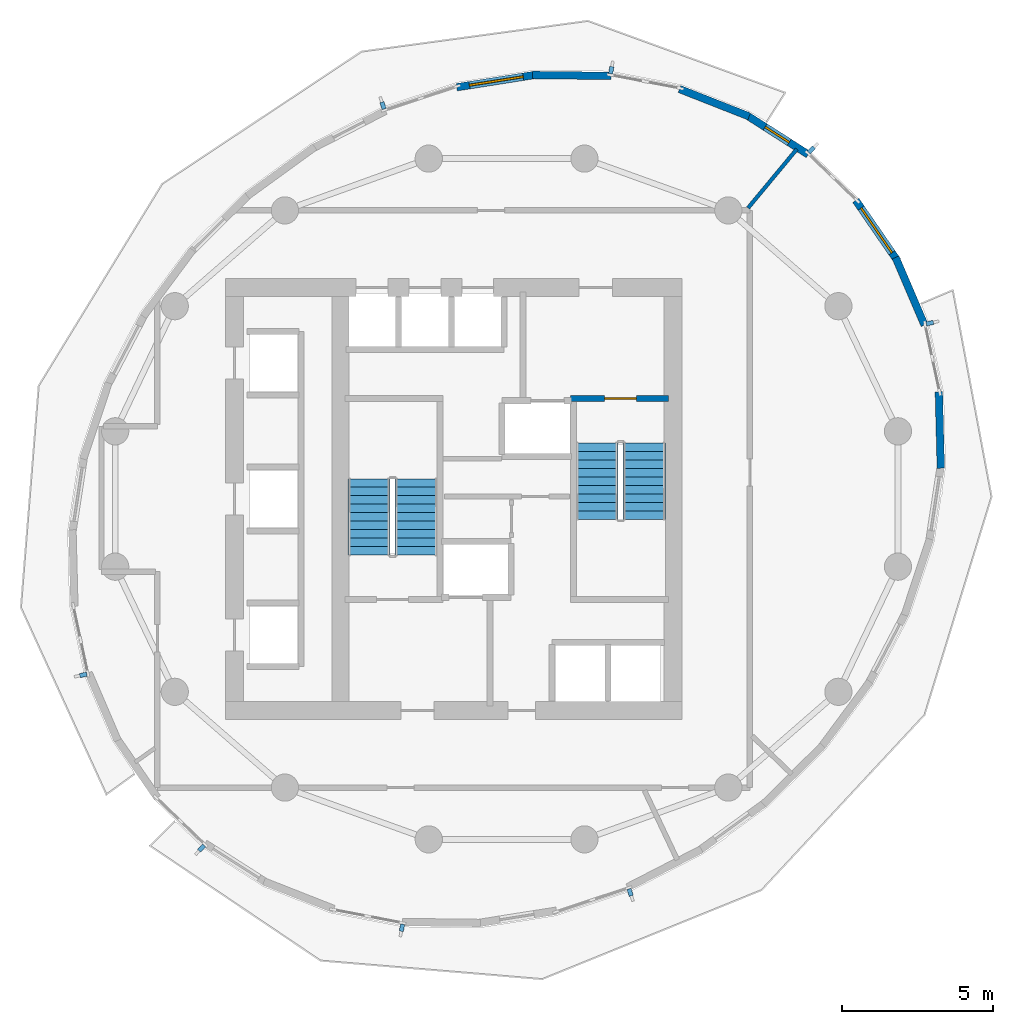
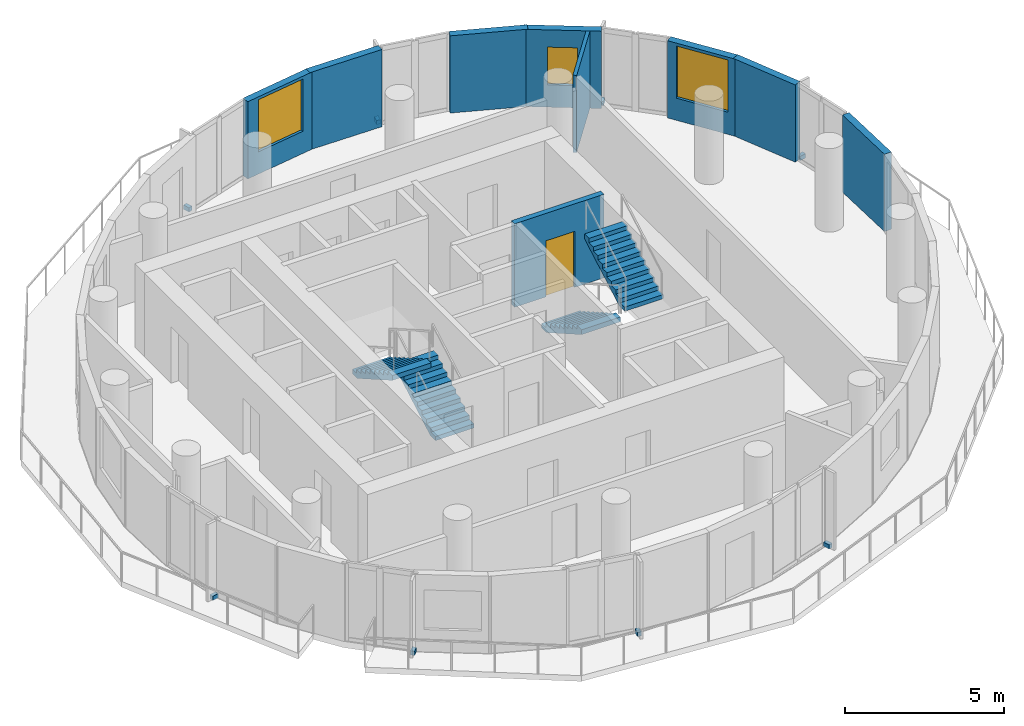
# One storey, part 5 of 9: 9 walls, 8 discrete accessories, 4 stair flights, 3 windows, 1 door, 4 openings, 2 elements without a shape of their own.
"""IFC4 building model written with IfcOpenShell, lengths in metres."""

from ifc_helpers import new_model, si_unit, direction, frame, frame_2d, origin, origin_2d, place, context, subcontext, project, spatial, polyline, rectangle, outline, extrude, material, layer, layer_set, type_object, element, fill, aggregate, save


model = new_model("IFC4")

# Units and contexts
model_context = context("Model", 3, precision=1e-05, world=origin(), true_north=direction((0.0, 1.0)))
body_context = subcontext(model_context, "Body", "Model", "MODEL_VIEW")
ifc_project = project(units=[si_unit("LENGTHUNIT", "METRE"), si_unit("AREAUNIT", "SQUARE_METRE"), si_unit("VOLUMEUNIT", "CUBIC_METRE"), si_unit("PLANEANGLEUNIT", "RADIAN"), si_unit("MASSUNIT", "GRAM", prefix="KILO")], contexts=[model_context])

# Site, building, storey
site_placement = place(None, origin())
site = spatial("IfcSite", under=ifc_project, at=site_placement, CompositionType="ELEMENT")
building_placement = place(site_placement, origin())
building = spatial("IfcBuilding", under=site, at=building_placement, Name="Veldorim Arch Residences", CompositionType="ELEMENT")
storey_placement = place(building_placement, frame((0.0, 0.0, 163.0400390625)))
storey = spatial("IfcBuildingStorey", under=building, at=storey_placement, Name="L48", CompositionType="ELEMENT", Elevation=163.0400390625)

# Wall
ifc_material_1 = material(Name="Acoustic Gypsum Board", Category="gypsum")
ifc_layer_1 = layer(ifc_material_1, 0.125, Name="Acoustic Stud Room Partition Wall 125")
ifc_layer_set_1 = layer_set([ifc_layer_1], Name="Acoustic Gypsum Board")
wall_type_1 = type_object("IfcWallType", Name="Acoustic Stud Room Partition Wall 125", PredefinedType="PARTITIONING", material=ifc_layer_set_1)
wall_1_placement = place(storey_placement, frame((41.60009765625, 35.571533203125, 0.0), z_axis=(0.0, 0.0, 1.0), x_axis=(-0.638500632437, -0.769621298027, 0.0)))
element("IfcWall", 1, at=wall_1_placement, inside=storey, type_object=wall_type_1, Name="L48 interior wall WL-SKY-L48-009", PredefinedType="PARTITIONING", context=body_context, shape_type="SweptSolid", body=[
    extrude(rectangle(XDim=2.526611328125, YDim=0.125, at=frame_2d((1.26318359375, 0.0))), origin(), (0.0, 0.0, 1.0), 2.955078125),
])

# Wall, opening, door
ifc_material_2 = material(Name="Concrete C50/60", Category="concrete")
ifc_layer_2 = layer(ifc_material_2, 0.199951171875, Name="Core Stair & Lift Shaft Enclosure Wall 200")
ifc_layer_set_2 = layer_set([ifc_layer_2], Name="Concrete C50/60")
wall_type_2 = type_object("IfcWallType", Name="Core Stair & Lift Shaft Enclosure Wall 200", PredefinedType="SHEAR", material=ifc_layer_set_2)
wall_2_placement = place(storey_placement, frame((34.110107421875, 27.330078125, 0.0), z_axis=(0.0, 0.0, 1.0), x_axis=(1.0, 0.0, 0.0)))
wall_2 = element("IfcWall", 2, at=wall_2_placement, inside=storey, type_object=wall_type_2, Name="L48 shaft wall WL-SHF-L48-ST2-N", PredefinedType="SHEAR", context=body_context, shape_type="SweptSolid", body=[
    extrude(rectangle(XDim=3.239990234375, YDim=0.199951171875, at=frame_2d((1.6201171875, 0.0))), origin(), (0.0, 0.0, 1.0), 3.199951171875),
])
opening_1_placement = place(wall_2_placement, frame((1.135009765625, 0.0, 0.0)))
opening_1 = element("IfcOpeningElement", 3, at=opening_1_placement, cuts=wall_2, Name="Opening DR-ST", PredefinedType="OPENING", context=body_context, shape_type="SweptSolid", body=[
    extrude(rectangle(XDim=1.050048828125, YDim=2.14990234375, at=frame_2d((0.52490234375, 1.074951171875))), frame((0.0, 0.10986328125, 0.0), z_axis=(0.0, -1.0, 0.0), x_axis=(1.0, 0.0, 0.0)), (0.0, 0.0, 1.0), 0.219970703125),
])
ifc_material_3 = material(Name="Fire-Rated Steel", Category="steel")
door_type = type_object("IfcDoorType", Name="Exit Staircase Self-Closing Fire Door 1050x2150", OperationType="SINGLE_SWING_LEFT", PredefinedType="DOOR", material=ifc_material_3)
door_placement = place(opening_1_placement, origin())
door = element("IfcDoor", 4, at=door_placement, inside=storey, type_object=door_type, Name="L48 interior door DR-L48-ST2", OperationType="SINGLE_SWING_RIGHT", OverallHeight=2.14990234375, OverallWidth=1.050048828125, PredefinedType="DOOR", context=body_context, shape_type="SweptSolid", body=[
    extrude(rectangle(XDim=1.050048828125, YDim=2.14990234375, at=frame_2d((0.52490234375, 1.074951171875))), frame((0.0, 0.02490234375, 0.0), z_axis=(0.0, -1.0, 0.0), x_axis=(1.0, 0.0, 0.0)), (0.0, 0.0, 1.0), 0.050048828125),
])
fill(opening_1, door)

# Wall, opening, window
ifc_material_4 = material(Name="Precast concrete C40/50", Category="concrete")
ifc_layer_3 = layer(ifc_material_4, 0.25, Name="Tower Terracotta Spandrel & Pier Wall 250")
ifc_layer_set_3 = layer_set([ifc_layer_3], Name="Precast concrete C40/50")
wall_type_3 = type_object("IfcWallType", Name="Tower Terracotta Spandrel & Pier Wall 250", PredefinedType="SOLIDWALL", material=ifc_layer_set_3)
wall_3_placement = place(storey_placement, frame((39.923095703125, 36.707275390625, 0.0), z_axis=(0.0, 0.0, 1.0), x_axis=(0.842951209937, -0.537990016325, 0.0)))
wall_3 = element("IfcWall", 5, at=wall_3_placement, inside=storey, type_object=wall_type_3, Name="L48 terracotta facade wall 02", PredefinedType="SOLIDWALL", context=body_context, shape_type="SweptSolid", body=[
    extrude(rectangle(XDim=2.43701171875, YDim=0.25, at=frame_2d((1.218505859375, 0.0))), origin(), (0.0, 0.0, 1.0), 2.9599609375),
])
opening_2_placement = place(wall_3_placement, frame((0.742919921875, 0.0, 0.85009765625)))
opening_2 = element("IfcOpeningElement", 6, at=opening_2_placement, cuts=wall_3, Name="Opening WN-05", PredefinedType="OPENING", context=body_context, shape_type="SweptSolid", body=[
    extrude(rectangle(XDim=0.949951171875, YDim=1.449951171875, at=frame_2d((0.47509765625, 0.72509765625))), frame((0.0, 0.135009765625, 0.0), z_axis=(0.0, -1.0, 0.0), x_axis=(1.0, 0.0, 0.0)), (0.0, 0.0, 1.0), 0.27001953125),
])
ifc_material_5 = material(Name="Laminated Low-E Glass", Category="glass")
window_type_1 = type_object("IfcWindowType", Name="Residential Compact Casement Window 950x1450", PartitioningType="SINGLE_PANEL", PredefinedType="WINDOW", material=ifc_material_5)
window_1_placement = place(opening_2_placement, origin())
window_1 = element("IfcWindow", 7, at=window_1_placement, inside=storey, type_object=window_type_1, Name="L48 solar-control facade window 02", OverallHeight=1.449951171875, OverallWidth=0.949951171875, PartitioningType="SINGLE_PANEL", PredefinedType="WINDOW", context=body_context, shape_type="SweptSolid", body=[
    extrude(rectangle(XDim=0.949951171875, YDim=1.449951171875, at=frame_2d((0.47509765625, 0.72509765625))), frame((0.0, 0.030029296875, 0.0), z_axis=(0.0, -1.0, 0.0), x_axis=(1.0, 0.0, 0.0)), (0.0, 0.0, 1.0), 0.06005859375),
])
fill(opening_2, window_1)

# Walls
wall_4_placement = place(storey_placement, frame((37.71875, 37.56298828125, 0.0), z_axis=(0.0, 0.0, 1.0), x_axis=(0.930554944455, -0.366152284371, 0.0)))
element("IfcWall", 8, at=wall_4_placement, inside=storey, type_object=wall_type_3, Name="L48 terracotta facade wall 03", PredefinedType="SOLIDWALL", context=body_context, shape_type="SweptSolid", body=[
    extrude(rectangle(XDim=2.477783203125, YDim=0.25, at=frame_2d((1.23876953125, 0.0))), origin(), (0.0, 0.0, 1.0), 2.9599609375),
])
wall_5_placement = place(storey_placement, frame((32.859375, 38.027099609375, 0.0), z_axis=(0.0, 0.0, 1.0), x_axis=(0.999928463579, -0.011961092105, 0.0)))
element("IfcWall", 9, at=wall_5_placement, inside=storey, type_object=wall_type_3, Name="L48 terracotta facade wall 05", PredefinedType="SOLIDWALL", context=body_context, shape_type="SweptSolid", body=[
    extrude(rectangle(XDim=2.59228515625, YDim=0.25, at=frame_2d((1.296142578125, 0.0))), origin(), (0.0, 0.0, 1.0), 2.9599609375),
])

# Wall, opening, window
wall_6_placement = place(storey_placement, frame((30.351318359375, 37.62109375, 0.0), z_axis=(0.0, 0.0, 1.0), x_axis=(0.987726348775, 0.156194301867, 0.0)))
wall_6 = element("IfcWall", 10, at=wall_6_placement, inside=storey, type_object=wall_type_3, Name="L48 terracotta facade wall 06", PredefinedType="SOLIDWALL", context=body_context, shape_type="SweptSolid", body=[
    extrude(rectangle(XDim=2.65087890625, YDim=0.25, at=frame_2d((1.325439453125, 0.0))), origin(), (0.0, 0.0, 1.0), 2.9599609375),
])
opening_3_placement = place(wall_6_placement, frame((0.426025390625, 0.0, 0.85009765625)))
opening_3 = element("IfcOpeningElement", 11, at=opening_3_placement, cuts=wall_6, Name="Opening WN-04", PredefinedType="OPENING", context=body_context, shape_type="SweptSolid", body=[
    extrude(rectangle(XDim=1.800048828125, YDim=2.0, at=frame_2d((0.89990234375, 1.0))), frame((0.0, 0.135009765625, 0.0), z_axis=(0.0, -1.0, 0.0), x_axis=(1.0, 0.0, 0.0)), (0.0, 0.0, 1.0), 0.27001953125),
])
ifc_material_6 = material(Name="Laminated Low-E Glass", Category="glass")
window_type_2 = type_object("IfcWindowType", Name="Sky Lounge Tall Picture Window 1800x1370", PartitioningType="SINGLE_PANEL", PredefinedType="WINDOW", material=ifc_material_6)
window_2_placement = place(opening_3_placement, origin())
window_2 = element("IfcWindow", 12, at=window_2_placement, inside=storey, type_object=window_type_2, Name="L48 solar-control facade window 06", OverallHeight=2.0, OverallWidth=1.800048828125, PartitioningType="SINGLE_PANEL", PredefinedType="WINDOW", context=body_context, shape_type="SweptSolid", body=[
    extrude(rectangle(XDim=1.800048828125, YDim=2.0, at=frame_2d((0.89990234375, 1.0))), frame((0.0, 0.030029296875, 0.0), z_axis=(0.0, -1.0, 0.0), x_axis=(1.0, 0.0, 0.0)), (0.0, 0.0, 1.0), 0.06005859375),
])
fill(opening_3, window_2)

# Walls
wall_7_placement = place(storey_placement, frame((46.299072265625, 27.548828125, 0.0), z_axis=(0.0, 0.0, 1.0), x_axis=(0.025647424719, -0.999671050699, 0.0)))
element("IfcWall", 13, at=wall_7_placement, inside=storey, type_object=wall_type_3, Name="L48 terracotta facade wall 33", PredefinedType="SOLIDWALL", context=body_context, shape_type="SweptSolid", body=[
    extrude(rectangle(XDim=2.531982421875, YDim=0.25, at=frame_2d((1.26611328125, 0.0))), origin(), (0.0, 0.0, 1.0), 2.9599609375),
])
wall_8_placement = place(storey_placement, frame((44.8671875, 31.990966796875, 0.0), z_axis=(0.0, 0.0, 1.0), x_axis=(0.393822567199, -0.919186480299, 0.0)))
element("IfcWall", 14, at=wall_8_placement, inside=storey, type_object=wall_type_3, Name="L48 terracotta facade wall 35", PredefinedType="SOLIDWALL", context=body_context, shape_type="SweptSolid", body=[
    extrude(rectangle(XDim=2.43701171875, YDim=0.25, at=frame_2d((1.218505859375, 0.0))), origin(), (0.0, 0.0, 1.0), 2.9599609375),
])

# Wall, opening, window
wall_9_placement = place(storey_placement, frame((43.552001953125, 33.87890625, 0.0), z_axis=(0.0, 0.0, 1.0), x_axis=(0.567536828079, -0.823348011945, 0.0)))
wall_9 = element("IfcWall", 15, at=wall_9_placement, inside=storey, type_object=wall_type_3, Name="L48 terracotta facade wall 36", PredefinedType="SOLIDWALL", context=body_context, shape_type="SweptSolid", body=[
    extrude(rectangle(XDim=2.41455078125, YDim=0.25, at=frame_2d((1.207275390625, 0.0))), origin(), (0.0, 0.0, 1.0), 2.9599609375),
])
opening_4_placement = place(wall_9_placement, frame((0.306884765625, 0.0, 0.85009765625)))
opening_4 = element("IfcOpeningElement", 16, at=opening_4_placement, cuts=wall_9, Name="Opening WN-04", PredefinedType="OPENING", context=body_context, shape_type="SweptSolid", body=[
    extrude(rectangle(XDim=1.800048828125, YDim=2.0, at=frame_2d((0.89990234375, 1.0))), frame((0.0, 0.135009765625, 0.0), z_axis=(0.0, -1.0, 0.0), x_axis=(1.0, 0.0, 0.0)), (0.0, 0.0, 1.0), 0.27001953125),
])
window_3_placement = place(opening_4_placement, origin())
window_3 = element("IfcWindow", 17, at=window_3_placement, inside=storey, type_object=window_type_2, Name="L48 solar-control facade window 36", OverallHeight=2.0, OverallWidth=1.800048828125, PartitioningType="SINGLE_PANEL", PredefinedType="WINDOW", context=body_context, shape_type="SweptSolid", body=[
    extrude(rectangle(XDim=1.800048828125, YDim=2.0, at=frame_2d((0.89990234375, 1.0))), frame((0.0, 0.030029296875, 0.0), z_axis=(0.0, -1.0, 0.0), x_axis=(1.0, 0.0, 0.0)), (0.0, 0.0, 1.0), 0.06005859375),
])
fill(opening_4, window_3)

# Stair, stair flights
ifc_material_7 = material(Name="Concrete C40/50", Category="concrete")
stair_type = type_object("IfcStairType", Name="Reinforced Concrete Dogleg Exit Staircase", PredefinedType="HALF_TURN_STAIR", material=ifc_material_7)
stair_1_placement = place(storey_placement, origin())
stair_1 = element("IfcStair", 18, at=stair_1_placement, inside=storey, type_object=stair_type, Name="L48 Exit Staircase ST-1", PredefinedType="HALF_TURN_STAIR")
ifc_material_8 = material(Name="Concrete C40/50", Category="concrete")
stair_flight_type = type_object("IfcStairFlightType", Name="Reinforced Concrete Stair Flight 1400", PredefinedType="STRAIGHT", material=ifc_material_8)
stair_flight_1_placement = place(storey_placement, frame((29.010009765625, 22.14990234375, 0.0), z_axis=(0.0, 0.0, 1.0), x_axis=(0.0, 1.0, 0.0)))
stair_flight_1 = element("IfcStairFlight", 19, at=stair_flight_1_placement, type_object=stair_flight_type, Name="ST-1 flight 1", NumberOfRisers=10, NumberOfTreads=9, PredefinedType="STRAIGHT", RiserHeight=0.16, TreadLength=0.28, context=body_context, shape_type="SweptSolid", body=[
    extrude(outline(polyline([(0.0, 0.0), (0.0, 0.159912109375), (0.280029296875, 0.159912109375), (0.280029296875, 0.320068359375), (0.56005859375, 0.320068359375), (0.56005859375, 0.47998046875), (0.840087890625, 0.47998046875), (0.840087890625, 0.639892578125), (1.1201171875, 0.639892578125), (1.1201171875, 0.800048828125), (1.39990234375, 0.800048828125), (1.39990234375, 0.9599609375), (1.679931640625, 0.9599609375), (1.679931640625, 1.1201171875), (1.9599609375, 1.1201171875), (1.9599609375, 1.280029296875), (2.239990234375, 1.280029296875), (2.239990234375, 1.43994140625), (2.52001953125, 1.43994140625), (2.52001953125, 1.60009765625), (2.52001953125, 1.255859375), (0.322265625, 0.0), (0.0, 0.0)])), frame((0.0, 0.699951171875, 0.0), z_axis=(0.0, -1.0, 0.0), x_axis=(1.0, 0.0, 0.0)), (0.0, 0.0, 1.0), 1.39990234375),
])
stair_flight_2_placement = place(storey_placement, frame((27.449951171875, 24.669921875, 1.599853515625), z_axis=(0.0, 0.0, 1.0), x_axis=(0.0, -1.0, 0.0)))
stair_flight_2 = element("IfcStairFlight", 20, at=stair_flight_2_placement, type_object=stair_flight_type, Name="ST-1 flight 2", NumberOfRisers=10, NumberOfTreads=9, PredefinedType="STRAIGHT", RiserHeight=0.16, TreadLength=0.28, context=body_context, shape_type="SweptSolid", body=[
    extrude(outline(polyline([(0.0, 0.0), (0.0, 0.159912109375), (0.280029296875, 0.159912109375), (0.280029296875, 0.320068359375), (0.56005859375, 0.320068359375), (0.56005859375, 0.47998046875), (0.840087890625, 0.47998046875), (0.840087890625, 0.639892578125), (1.1201171875, 0.639892578125), (1.1201171875, 0.800048828125), (1.39990234375, 0.800048828125), (1.39990234375, 0.9599609375), (1.679931640625, 0.9599609375), (1.679931640625, 1.1201171875), (1.9599609375, 1.1201171875), (1.9599609375, 1.280029296875), (2.239990234375, 1.280029296875), (2.239990234375, 1.43994140625), (2.52001953125, 1.43994140625), (2.52001953125, 1.60009765625), (2.52001953125, 1.255859375), (0.322265625, 0.0), (0.0, 0.0)])), frame((0.0, 0.699951171875, 0.0), z_axis=(0.0, -1.0, 0.0), x_axis=(1.0, 0.0, 0.0)), (0.0, 0.0, 1.0), 1.39990234375),
])
aggregate(stair_1, [stair_flight_1, stair_flight_2])

stair_2_placement = place(storey_placement, origin())
stair_2 = element("IfcStair", 21, at=stair_2_placement, inside=storey, type_object=stair_type, Name="L48 Exit Staircase ST-2", PredefinedType="HALF_TURN_STAIR")
stair_flight_3_placement = place(storey_placement, frame((34.989990234375, 25.85009765625, 0.0), z_axis=(0.0, 0.0, 1.0), x_axis=(0.0, -1.0, 0.0)))
stair_flight_3 = element("IfcStairFlight", 22, at=stair_flight_3_placement, type_object=stair_flight_type, Name="ST-2 flight 1", NumberOfRisers=10, NumberOfTreads=9, PredefinedType="STRAIGHT", RiserHeight=0.16, TreadLength=0.28, context=body_context, shape_type="SweptSolid", body=[
    extrude(outline(polyline([(0.0, 0.0), (0.0, 0.159912109375), (0.280029296875, 0.159912109375), (0.280029296875, 0.320068359375), (0.56005859375, 0.320068359375), (0.56005859375, 0.47998046875), (0.840087890625, 0.47998046875), (0.840087890625, 0.639892578125), (1.1201171875, 0.639892578125), (1.1201171875, 0.800048828125), (1.39990234375, 0.800048828125), (1.39990234375, 0.9599609375), (1.679931640625, 0.9599609375), (1.679931640625, 1.1201171875), (1.9599609375, 1.1201171875), (1.9599609375, 1.280029296875), (2.239990234375, 1.280029296875), (2.239990234375, 1.43994140625), (2.52001953125, 1.43994140625), (2.52001953125, 1.60009765625), (2.52001953125, 1.255859375), (0.322265625, 0.0), (0.0, 0.0)])), frame((0.0, 0.699951171875, 0.0), z_axis=(0.0, -1.0, 0.0), x_axis=(1.0, 0.0, 0.0)), (0.0, 0.0, 1.0), 1.39990234375),
])
stair_flight_4_placement = place(storey_placement, frame((36.550048828125, 23.330078125, 1.599853515625), z_axis=(0.0, 0.0, 1.0), x_axis=(0.0, 1.0, 0.0)))
stair_flight_4 = element("IfcStairFlight", 23, at=stair_flight_4_placement, type_object=stair_flight_type, Name="ST-2 flight 2", NumberOfRisers=10, NumberOfTreads=9, PredefinedType="STRAIGHT", RiserHeight=0.16, TreadLength=0.28, context=body_context, shape_type="SweptSolid", body=[
    extrude(outline(polyline([(0.0, 0.0), (0.0, 0.159912109375), (0.280029296875, 0.159912109375), (0.280029296875, 0.320068359375), (0.56005859375, 0.320068359375), (0.56005859375, 0.47998046875), (0.840087890625, 0.47998046875), (0.840087890625, 0.639892578125), (1.1201171875, 0.639892578125), (1.1201171875, 0.800048828125), (1.39990234375, 0.800048828125), (1.39990234375, 0.9599609375), (1.679931640625, 0.9599609375), (1.679931640625, 1.1201171875), (1.9599609375, 1.1201171875), (1.9599609375, 1.280029296875), (2.239990234375, 1.280029296875), (2.239990234375, 1.43994140625), (2.52001953125, 1.43994140625), (2.52001953125, 1.60009765625), (2.52001953125, 1.255859375), (0.322265625, 0.0), (0.0, 0.0)])), frame((0.0, 0.699951171875, 0.0), z_axis=(0.0, -1.0, 0.0), x_axis=(1.0, 0.0, 0.0)), (0.0, 0.0, 1.0), 1.39990234375),
])
aggregate(stair_2, [stair_flight_3, stair_flight_4])

# Discrete accessories
ifc_material_9 = material(Name="Stainless Steel", Category="steel")
discrete_accessory_type = type_object("IfcDiscreteAccessoryType", Name="Stainless Steel Facade Fin Anchor Bracket", PredefinedType="BRACKET", material=ifc_material_9)
for number, where, z_axis, x_axis, name in (
    (24, (42.083984375, 35.548583984375, -0.02001953125), (0.0, 0.0, 1.0), (0.720187948577, -0.693779012888, 0.0), "L48 stainless fin anchor bracket 01"),
    (25, (35.460205078125, 38.182861328125, -0.02001953125), (0.0, 0.0, 1.0), (0.982189003456, -0.187895613278, 0.0), "L48 stainless fin anchor bracket 04"),
    (26, (27.912109375, 37.0126953125, -0.02001953125), (0.0, 0.0, 1.0), (0.949699126202, 0.313163806484, 0.0), "L48 stainless fin anchor bracket 07"),
    (27, (17.999267578125, 18.182861328125, -0.02001953125), (0.0, 0.0, 1.0), (-0.209789215079, 0.977746636525, 0.0), "L48 stainless fin anchor bracket 16"),
    (28, (21.916015625, 12.451416015625, -0.02001953125), (0.0, 0.0, 1.0), (-0.720187948577, 0.693779012888, 0.0), "L48 stainless fin anchor bracket 19"),
    (29, (28.539794921875, 9.817138671875, -0.02001953125), (0.0, 0.0, 1.0), (-0.982189003456, 0.187895613278, 0.0), "L48 stainless fin anchor bracket 22"),
    (30, (36.087890625, 10.9873046875, -0.02001953125), (0.0, 0.0, 1.0), (-0.949699126202, -0.313163806484, 0.0), "L48 stainless fin anchor bracket 25"),
    (31, (46.000732421875, 29.817138671875, -0.02001953125), (0.0, 0.0, 1.0), (0.209789215079, -0.977746636525, 0.0), "L48 stainless fin anchor bracket 34"),
):
    element("IfcDiscreteAccessory", number, at=place(storey_placement, frame(where, z_axis=z_axis, x_axis=x_axis)), inside=storey, type_object=discrete_accessory_type, Name=name, PredefinedType="BRACKET", context=body_context, shape_type="SweptSolid", body=[
        extrude(rectangle(XDim=0.139892578125, YDim=0.239990234375, at=origin_2d()), origin(), (0.0, 0.0, 1.0), 0.159912109375),
    ])

save(model, "model.ifc")
